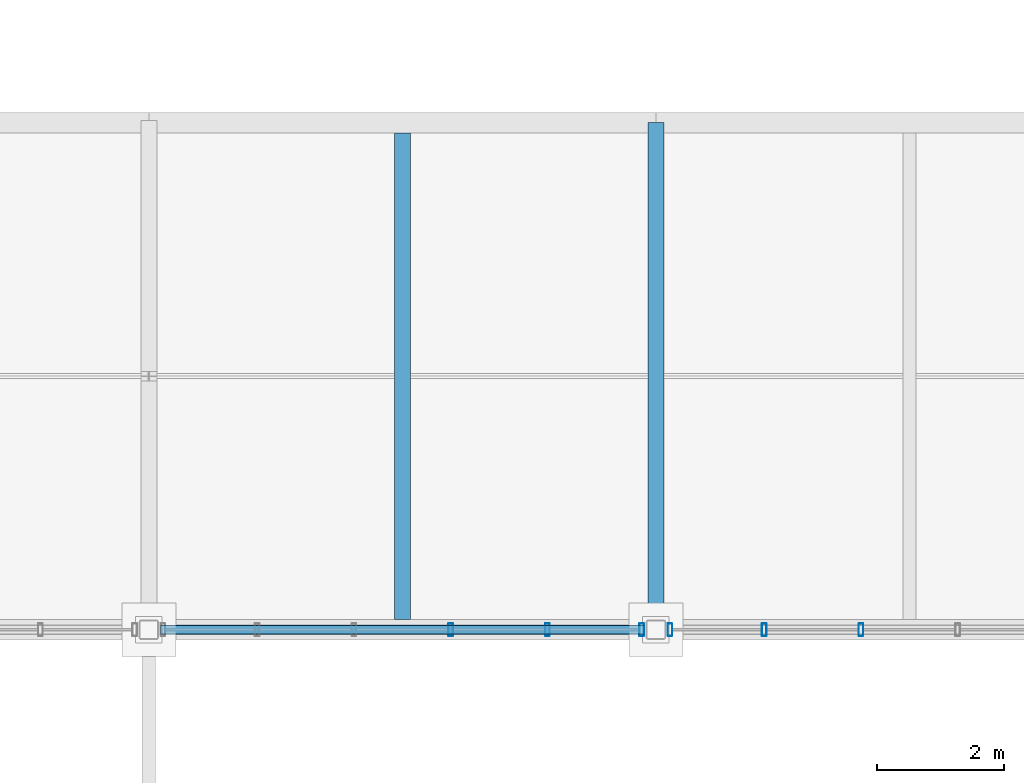
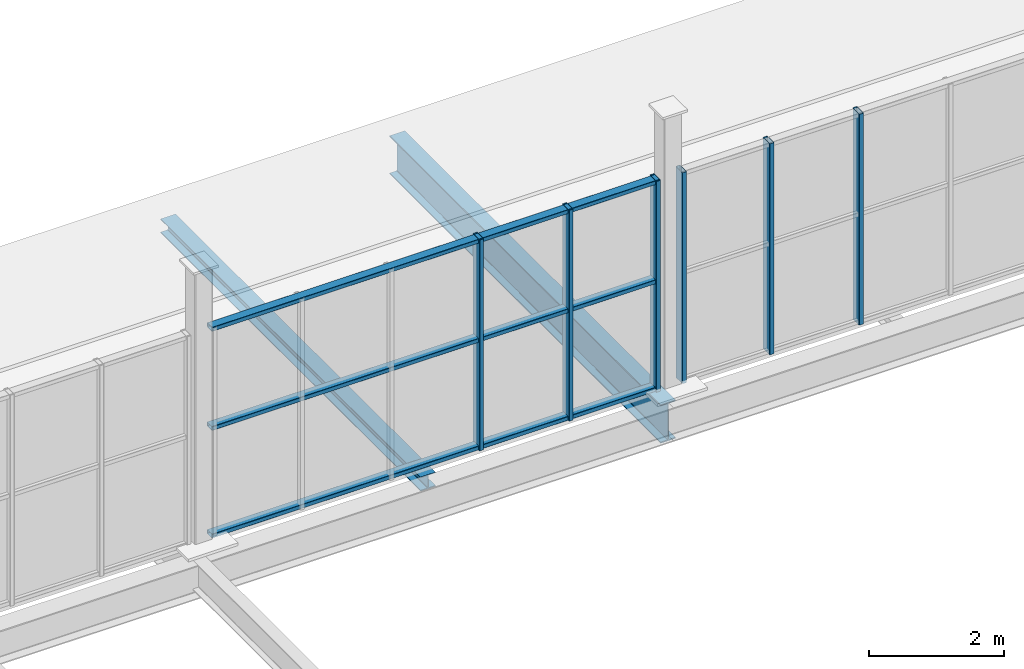
# One storey, part 47 of 96: 9 members, 2 beams, 2 elements without a shape of their own.
"""IFC4 building model written with IfcOpenShell, lengths in metres."""

import ifcopenshell
import ifcopenshell.guid

model = None  # the IFC model being written
_history = None  # IfcOwnerHistory: only IFC2X3 demands one
_inside = {}  # id of a spatial element -> (the spatial element, [elements in it])
_under = {}  # id of a project, library or spatial element -> (it, [spatial elements below it])
_declared = {}  # id of a project -> (the project, [libraries it declares])
_typed = {}  # id of a type object -> (the type object, [elements of that type])
_made_of = {}  # id of a material, layer set ... -> (it, [elements and type objects made of it])


def new_model(schema):
    """Start an empty IFC model of exactly this schema.

    Asked for "IFC4X3", IfcOpenShell would pick the latest addendum, in which some entities
    have other attributes; the version numbers below select the first issue.
    IFC2X3 requires an IfcOwnerHistory on every rooted entity: one is made here for all.
    """
    global model, _history
    if schema == "IFC4X3":
        model = ifcopenshell.file(schema_version=(4, 3, 0, 0))
    else:
        model = ifcopenshell.file(schema=schema)
    _inside.clear()
    _under.clear()
    _declared.clear()
    _typed.clear()
    _made_of.clear()
    _history = None
    if model.schema == "IFC2X3":
        org = make("IfcOrganization", Name="unknown")
        user = make(
            "IfcPersonAndOrganization",
            ThePerson=make("IfcPerson", FamilyName="unknown"),
            TheOrganization=org,
        )
        app = make(
            "IfcApplication",
            ApplicationDeveloper=org,
            Version="unknown",
            ApplicationFullName="unknown",
            ApplicationIdentifier="unknown",
        )
        _history = make(
            "IfcOwnerHistory",
            OwningUser=user,
            OwningApplication=app,
            ChangeAction="ADDED",
            CreationDate=0,
        )
    return model


def make(cls, **values):
    """One entity of the class cls with the attributes given. An attribute that is None is left unset."""
    return model.create_entity(
        cls, **{name: value for name, value in values.items() if value is not None}
    )


def rooted(cls, **values):
    """An entity with a GlobalId (a new one), such as an element, a storey or a relation."""
    return make(cls, GlobalId=ifcopenshell.guid.new(), OwnerHistory=_history, **values)


def si_unit(unit_type, name, prefix=None):
    """IfcSIUnit, for example si_unit("LENGTHUNIT", "METRE", prefix="MILLI")."""
    return make("IfcSIUnit", UnitType=unit_type, Prefix=prefix, Name=name)


def assignment(units):
    """IfcUnitAssignment: the units of a project."""
    return None if units is None else make("IfcUnitAssignment", Units=units)


def point(xyz):
    """IfcCartesianPoint."""
    return None if xyz is None else make("IfcCartesianPoint", Coordinates=xyz)


def direction(xyz):
    """IfcDirection."""
    return None if xyz is None else make("IfcDirection", DirectionRatios=xyz)


def frame(location, z_axis=None, x_axis=None):
    """IfcAxis2Placement3D, a coordinate frame: its origin and axes. An axis left out is left unset."""
    return make(
        "IfcAxis2Placement3D",
        Location=point(location),
        Axis=direction(z_axis),
        RefDirection=direction(x_axis),
    )


def frame_2d(location, x_axis=None):
    """IfcAxis2Placement2D, a coordinate frame in the plane: its origin and x axis."""
    return make(
        "IfcAxis2Placement2D", Location=point(location), RefDirection=direction(x_axis)
    )


def origin():
    """The frame at (0, 0, 0) with its axes left unset."""
    return frame((0.0, 0.0, 0.0))


def origin_2d():
    """The frame at (0, 0) in the plane with its x axis left unset."""
    return frame_2d((0.0, 0.0))


def place(relative_to, where):
    """IfcLocalPlacement: puts the frame where relative to a parent placement (None: the world)."""
    return make(
        "IfcLocalPlacement", PlacementRelTo=relative_to, RelativePlacement=where
    )


def context(
    kind, dimensions, precision=None, world=None, true_north=None, identifier=None
):
    """IfcGeometricRepresentationContext, for example the 3D "Model" context."""
    return make(
        "IfcGeometricRepresentationContext",
        ContextIdentifier=identifier,
        ContextType=kind,
        CoordinateSpaceDimension=dimensions,
        Precision=precision,
        WorldCoordinateSystem=world,
        TrueNorth=true_north,
    )


def subcontext(parent, identifier, kind, view, scale=None):
    """IfcGeometricRepresentationSubContext, for example "Body" below "Model"."""
    return make(
        "IfcGeometricRepresentationSubContext",
        ContextIdentifier=identifier,
        ContextType=kind,
        ParentContext=parent,
        TargetScale=scale,
        TargetView=view,
    )


def project(units=None, contexts=None):
    """IfcProject with its units and contexts."""
    return rooted(
        "IfcProject",
        Name="project",
        RepresentationContexts=contexts,
        UnitsInContext=assignment(units),
    )


def spatial(cls, under=None, at=None, **own):
    """A site, building, storey or space (cls), placed at a placement, below another one or the project."""
    s = rooted(cls, ObjectPlacement=at, **own)
    if under is not None:
        _under.setdefault(under.id(), (under, []))[1].append(s)
    return s


def profile(cls, at=None, kind="AREA", **sizes):
    """A parametric profile (cls). Its sizes go by their IFC names, for example OverallWidth=200.0."""
    return make(cls, ProfileType=kind, Position=at, **sizes)


def hollow_rectangle(**sizes):
    """IfcRectangleHollowProfileDef."""
    return profile("IfcRectangleHollowProfileDef", **sizes)


def i_section(**sizes):
    """IfcIShapeProfileDef."""
    return profile("IfcIShapeProfileDef", **sizes)


def extrude(swept, where, along, depth):
    """IfcExtrudedAreaSolid: the profile swept, set in the frame where, extruded along a direction by depth."""
    return make(
        "IfcExtrudedAreaSolid",
        SweptArea=swept,
        Position=where,
        ExtrudedDirection=direction(along),
        Depth=depth,
    )


def shape(context_of_items, identifier, shape_type, items):
    """IfcShapeRepresentation: the items that make up one representation, for example the "Body"."""
    return make(
        "IfcShapeRepresentation",
        ContextOfItems=context_of_items,
        RepresentationIdentifier=identifier,
        RepresentationType=shape_type,
        Items=items,
    )


def material(Name=None, Category=None):
    """IfcMaterial."""
    return make("IfcMaterial", Name=Name, Category=Category)


def material_profile(
    of_material, cross_section, Name=None, Category=None, Priority=None
):
    """IfcMaterialProfile: a cross section and its material."""
    return make(
        "IfcMaterialProfile",
        Name=Name,
        Material=of_material,
        Profile=cross_section,
        Priority=Priority,
        Category=Category,
    )


def profile_set(profiles, Name=None, composite=None):
    """IfcMaterialProfileSet."""
    return make(
        "IfcMaterialProfileSet",
        Name=Name,
        MaterialProfiles=profiles,
        CompositeProfile=composite,
    )


def made_of(thing, what):
    """Note that an element or type object is made of a material, layer set ...; save() writes the relation."""
    if what is not None:
        _made_of.setdefault(what.id(), (what, []))[1].append(thing)
    return thing


def type_object(cls, material=None, **own):
    """A type object (cls), such as IfcWallType, which elements share."""
    return made_of(rooted(cls, **own), material)


def element(
    cls,
    number,
    at=None,
    inside=None,
    cuts=None,
    type_object=None,
    material=None,
    context=None,
    identifier="Body",
    shape_type=None,
    held_by="IfcProductDefinitionShape",
    body=None,
    shapes=None,
    **own,
):
    """One element of the class cls, such as IfcWall. Its Tag is "e" and its number.

    at: its placement. inside: the storey or other place that contains it. cuts: it is an
    opening in that element (IfcRelVoidsElement). A single representation is given by context,
    identifier, shape_type and body (its items); several are given by shapes. held_by: the class
    of the entity that holds the representations. save() writes the other relations.
    """
    e = rooted(cls, Tag="e%d" % number, ObjectPlacement=at, **own)
    if body is not None:
        shapes = [shape(context, identifier, shape_type, body)]
    if shapes is not None:
        e.Representation = make(held_by, Representations=shapes)
    if inside is not None:
        _inside.setdefault(inside.id(), (inside, []))[1].append(e)
    if cuts is not None:
        rooted(
            "IfcRelVoidsElement", RelatingBuildingElement=cuts, RelatedOpeningElement=e
        )
    if type_object is not None:
        _typed.setdefault(type_object.id(), (type_object, []))[1].append(e)
    return made_of(e, material)


def aggregate(whole, parts):
    """IfcRelAggregates: a whole, such as a stair, and the parts it consists of."""
    return rooted("IfcRelAggregates", RelatingObject=whole, RelatedObjects=parts)


def save(model, path):
    """Write the relations noted so far, then the file.

    IfcRelAggregates (storeys below a building ...), IfcRelContainedInSpatialStructure (elements
    in a storey), IfcRelDefinesByType, IfcRelAssociatesMaterial and IfcRelDeclares: one each for
    every whole, place, type object, material and project.
    """
    for whole, parts in _under.values():
        aggregate(whole, parts)
    for where, things in _inside.values():
        rooted(
            "IfcRelContainedInSpatialStructure",
            RelatedElements=things,
            RelatingStructure=where,
        )
    for kind, things in _typed.values():
        rooted("IfcRelDefinesByType", RelatedObjects=things, RelatingType=kind)
    for what, things in _made_of.values():
        rooted("IfcRelAssociatesMaterial", RelatedObjects=things, RelatingMaterial=what)
    for by, libraries in _declared.values():
        rooted("IfcRelDeclares", RelatingContext=by, RelatedDefinitions=libraries)
    model.write(path)


model = new_model("IFC4")

# Units and contexts
model_context = context("Model", 3, precision=1e-05, world=origin(), true_north=direction((0.0, 1.0)))
body_context = subcontext(model_context, "Body", "Model", "MODEL_VIEW")
ifc_project = project(units=[si_unit("LENGTHUNIT", "METRE"), si_unit("AREAUNIT", "SQUARE_METRE"), si_unit("VOLUMEUNIT", "CUBIC_METRE"), si_unit("PLANEANGLEUNIT", "RADIAN"), si_unit("MASSUNIT", "GRAM", prefix="KILO")], contexts=[model_context])

# Site, building, storey
site_placement = place(None, origin())
site = spatial("IfcSite", under=ifc_project, at=site_placement, CompositionType="ELEMENT")
building_placement = place(site_placement, origin())
building = spatial("IfcBuilding", under=site, at=building_placement, Name="Verrall Gate Interchange", CompositionType="ELEMENT")
storey_placement = place(building_placement, frame((0.0, 0.0, 11.39990234375)))
storey = spatial("IfcBuildingStorey", under=building, at=storey_placement, Name="L03", CompositionType="ELEMENT", Elevation=11.39990234375)

# Beam
ifc_material_1 = material(Name="Structural Steel CSA G40.21 350WT Cat 4", Category="steel")
ifc_material_profile_1 = material_profile(ifc_material_1, i_section(OverallWidth=0.256103515625, OverallDepth=0.693115234375, WebThickness=0.01318359375, FlangeThickness=0.02001953125, FilletRadius=0.01611328125, at=origin_2d()), Name="W690x170")
ifc_profile_set_1 = profile_set([ifc_material_profile_1], Name="Structural Steel CSA G40.21 350WT Cat 4")
beam_type_1 = type_object("IfcBeamType", Name="B-07 Structural Beam W690x170", PredefinedType="BEAM", material=ifc_profile_set_1)
beam_1_placement = place(storey_placement, frame((68.0, 48.0, -0.676513671875), z_axis=(0.0, 1.0, 0.0), x_axis=(-1.0, 0.0, 0.0)))
element("IfcBeam", 1, at=beam_1_placement, inside=storey, type_object=beam_type_1, Name="L03 Girder BM-L03-2290 (B-07)", PredefinedType="BEAM", context=body_context, shape_type="SweptSolid", body=[
    extrude(i_section(OverallWidth=0.256103515625, OverallDepth=0.693115234375, WebThickness=0.01318359375, FlangeThickness=0.02001953125, FilletRadius=0.01611328125, at=origin_2d()), origin(), (0.0, 0.0, 1.0), 8.0),
])

# Curtain wall, members
ifc_material_2 = material(Name="Thermally Broken Anodized Aluminium Curtain Wall Framing", Category="aluminium")
curtain_wall_type = type_object("IfcCurtainWallType", Name="CW-53 Unitized Curtain Wall 7631x3800", PredefinedType="NOTDEFINED", material=ifc_material_2)
curtain_wall_1_placement = place(storey_placement, origin())
curtain_wall_1 = element("IfcCurtainWall", 2, at=curtain_wall_1_placement, inside=storey, type_object=curtain_wall_type, Name="L03 Unitized Curtain Wall CW-L03-CLR-176", PredefinedType="NOTDEFINED")
ifc_material_3 = material(Name="Thermally Broken Anodized Aluminium Curtain Wall Framing", Category="aluminium")
ifc_material_profile_2 = material_profile(ifc_material_3, hollow_rectangle(XDim=0.074951171875, YDim=0.199951171875, WallThickness=0.0048828125, InnerFilletRadius=0.0048828125, OuterFilletRadius=0.010009765625, at=origin_2d()), Name="CWM200x75x5")
ifc_profile_set_2 = profile_set([ifc_material_profile_2], Name="Thermally Broken Anodized Aluminium Curtain Wall Framing")
member_type_1 = type_object("IfcMemberType", Name="CM-02 Curtain Mullion CWM200x75x5", PredefinedType="MULLION", material=ifc_profile_set_2)
member_1_placement = place(storey_placement, frame((64.76318359375, 48.0, 0.0), z_axis=(0.0, 0.0, 1.0), x_axis=(1.0, 0.0, 0.0)))
member_1 = element("IfcMember", 3, at=member_1_placement, type_object=member_type_1, Name="CW-L03-CLR-176 Mullion 4", PredefinedType="MULLION", context=body_context, shape_type="SweptSolid", body=[
    extrude(hollow_rectangle(XDim=0.074951171875, YDim=0.199951171875, WallThickness=0.0048828125, InnerFilletRadius=0.0048828125, OuterFilletRadius=0.010009765625, at=origin_2d()), origin(), (0.0, 0.0, 1.0), 3.800048828125),
])
member_2_placement = place(storey_placement, frame((66.289306640625, 48.0, 0.0), z_axis=(0.0, 0.0, 1.0), x_axis=(1.0, 0.0, 0.0)))
member_2 = element("IfcMember", 4, at=member_2_placement, type_object=member_type_1, Name="CW-L03-CLR-176 Mullion 5", PredefinedType="MULLION", context=body_context, shape_type="SweptSolid", body=[
    extrude(hollow_rectangle(XDim=0.074951171875, YDim=0.199951171875, WallThickness=0.0048828125, InnerFilletRadius=0.0048828125, OuterFilletRadius=0.010009765625, at=origin_2d()), origin(), (0.0, 0.0, 1.0), 3.800048828125),
])
member_3_placement = place(storey_placement, frame((67.778076171875, 48.0, 0.0), z_axis=(0.0, 0.0, 1.0), x_axis=(1.0, 0.0, 0.0)))
member_3 = element("IfcMember", 5, at=member_3_placement, type_object=member_type_1, Name="CW-L03-CLR-176 Mullion 6", PredefinedType="MULLION", context=body_context, shape_type="SweptSolid", body=[
    extrude(hollow_rectangle(XDim=0.074951171875, YDim=0.199951171875, WallThickness=0.0048828125, InnerFilletRadius=0.0048828125, OuterFilletRadius=0.010009765625, at=origin_2d()), origin(), (0.0, 0.0, 1.0), 3.800048828125),
])

curtain_wall_2_placement = place(storey_placement, origin())
curtain_wall_2 = element("IfcCurtainWall", 6, at=curtain_wall_2_placement, inside=storey, type_object=curtain_wall_type, Name="L03 Unitized Curtain Wall CW-L03-CLR-177", PredefinedType="NOTDEFINED")
member_4_placement = place(storey_placement, frame((68.221923828125, 48.0, 0.0), z_axis=(0.0, 0.0, 1.0), x_axis=(1.0, 0.0, 0.0)))
member_4 = element("IfcMember", 7, at=member_4_placement, type_object=member_type_1, Name="CW-L03-CLR-177 Mullion 1", PredefinedType="MULLION", context=body_context, shape_type="SweptSolid", body=[
    extrude(hollow_rectangle(XDim=0.074951171875, YDim=0.199951171875, WallThickness=0.0048828125, InnerFilletRadius=0.0048828125, OuterFilletRadius=0.010009765625, at=origin_2d()), origin(), (0.0, 0.0, 1.0), 3.800048828125),
])
member_5_placement = place(storey_placement, frame((69.710693359375, 48.0, 0.0), z_axis=(0.0, 0.0, 1.0), x_axis=(1.0, 0.0, 0.0)))
member_5 = element("IfcMember", 8, at=member_5_placement, type_object=member_type_1, Name="CW-L03-CLR-177 Mullion 2", PredefinedType="MULLION", context=body_context, shape_type="SweptSolid", body=[
    extrude(hollow_rectangle(XDim=0.074951171875, YDim=0.199951171875, WallThickness=0.0048828125, InnerFilletRadius=0.0048828125, OuterFilletRadius=0.010009765625, at=origin_2d()), origin(), (0.0, 0.0, 1.0), 3.800048828125),
])
member_6_placement = place(storey_placement, frame((71.23681640625, 48.0, 0.0), z_axis=(0.0, 0.0, 1.0), x_axis=(1.0, 0.0, 0.0)))
member_6 = element("IfcMember", 9, at=member_6_placement, type_object=member_type_1, Name="CW-L03-CLR-177 Mullion 3", PredefinedType="MULLION", context=body_context, shape_type="SweptSolid", body=[
    extrude(hollow_rectangle(XDim=0.074951171875, YDim=0.199951171875, WallThickness=0.0048828125, InnerFilletRadius=0.0048828125, OuterFilletRadius=0.010009765625, at=origin_2d()), origin(), (0.0, 0.0, 1.0), 3.800048828125),
])
aggregate(curtain_wall_2, [member_4, member_5, member_6])

# Member
ifc_material_4 = material(Name="Thermally Broken Anodized Aluminium Curtain Wall Framing", Category="aluminium")
ifc_material_profile_3 = material_profile(ifc_material_4, hollow_rectangle(XDim=0.14990234375, YDim=0.074951171875, WallThickness=0.00439453125, InnerFilletRadius=0.00439453125, OuterFilletRadius=0.009033203125, at=origin_2d()), Name="CWT150x75x4.5")
ifc_profile_set_3 = profile_set([ifc_material_profile_3], Name="Thermally Broken Anodized Aluminium Curtain Wall Framing")
member_type_2 = type_object("IfcMemberType", Name="CT-02 Curtain Transom CWT150x75x4.5", PredefinedType="USERDEFINED", material=ifc_profile_set_3)
member_7_placement = place(storey_placement, frame((60.1845703125, 48.0, 0.03759765625), z_axis=(1.0, 0.0, 0.0), x_axis=(0.0, 1.0, 0.0)))
member_7 = element("IfcMember", 10, at=member_7_placement, type_object=member_type_2, Name="CW-L03-CLR-176 Transom 1", ObjectType="TRANSOM", PredefinedType="USERDEFINED", context=body_context, shape_type="SweptSolid", body=[
    extrude(hollow_rectangle(XDim=0.14990234375, YDim=0.074951171875, WallThickness=0.00439453125, InnerFilletRadius=0.00439453125, OuterFilletRadius=0.009033203125, at=origin_2d()), origin(), (0.0, 0.0, 1.0), 7.630859375),
])

member_8_placement = place(storey_placement, frame((60.1845703125, 48.0, 1.97607421875), z_axis=(1.0, 0.0, 0.0), x_axis=(0.0, 1.0, 0.0)))
member_8 = element("IfcMember", 11, at=member_8_placement, type_object=member_type_2, Name="CW-L03-CLR-176 Transom 2", ObjectType="TRANSOM", PredefinedType="USERDEFINED", context=body_context, shape_type="SweptSolid", body=[
    extrude(hollow_rectangle(XDim=0.14990234375, YDim=0.074951171875, WallThickness=0.00439453125, InnerFilletRadius=0.00439453125, OuterFilletRadius=0.009033203125, at=origin_2d()), origin(), (0.0, 0.0, 1.0), 7.630859375),
])

member_9_placement = place(storey_placement, frame((60.1845703125, 48.0, 3.7626953125), z_axis=(1.0, 0.0, 0.0), x_axis=(0.0, 1.0, 0.0)))
member_9 = element("IfcMember", 12, at=member_9_placement, type_object=member_type_2, Name="CW-L03-CLR-176 Transom 3", ObjectType="TRANSOM", PredefinedType="USERDEFINED", context=body_context, shape_type="SweptSolid", body=[
    extrude(hollow_rectangle(XDim=0.14990234375, YDim=0.074951171875, WallThickness=0.00439453125, InnerFilletRadius=0.00439453125, OuterFilletRadius=0.009033203125, at=origin_2d()), origin(), (0.0, 0.0, 1.0), 7.630859375),
])

aggregate(curtain_wall_1, [member_1, member_2, member_3, member_7, member_8, member_9])

# Beam
ifc_material_5 = material(Name="Structural Steel CSA G40.21 350W", Category="steel")
ifc_material_profile_4 = material_profile(ifc_material_5, i_section(OverallWidth=0.25390625, OverallDepth=0.2529296875, WebThickness=0.008544921875, FlangeThickness=0.01416015625, FilletRadius=0.011962890625, at=origin_2d()), Name="W250x73")
ifc_profile_set_4 = profile_set([ifc_material_profile_4], Name="Structural Steel CSA G40.21 350W")
beam_type_2 = type_object("IfcBeamType", Name="J-05 Floor Joist W250x73", PredefinedType="JOIST", material=ifc_profile_set_4)
beam_2_placement = place(storey_placement, frame((64.0, 48.162109375, -0.456298828125), z_axis=(0.0, 1.0, 0.0), x_axis=(-1.0, 0.0, 0.0)))
element("IfcBeam", 13, at=beam_2_placement, inside=storey, type_object=beam_type_2, Name="L03 Secondary Floor Joist JST-L03-2486", PredefinedType="JOIST", context=body_context, shape_type="SweptSolid", body=[
    extrude(i_section(OverallWidth=0.25390625, OverallDepth=0.2529296875, WebThickness=0.008544921875, FlangeThickness=0.01416015625, FilletRadius=0.011962890625, at=origin_2d()), origin(), (0.0, 0.0, 1.0), 7.67578125),
])

save(model, "model.ifc")
